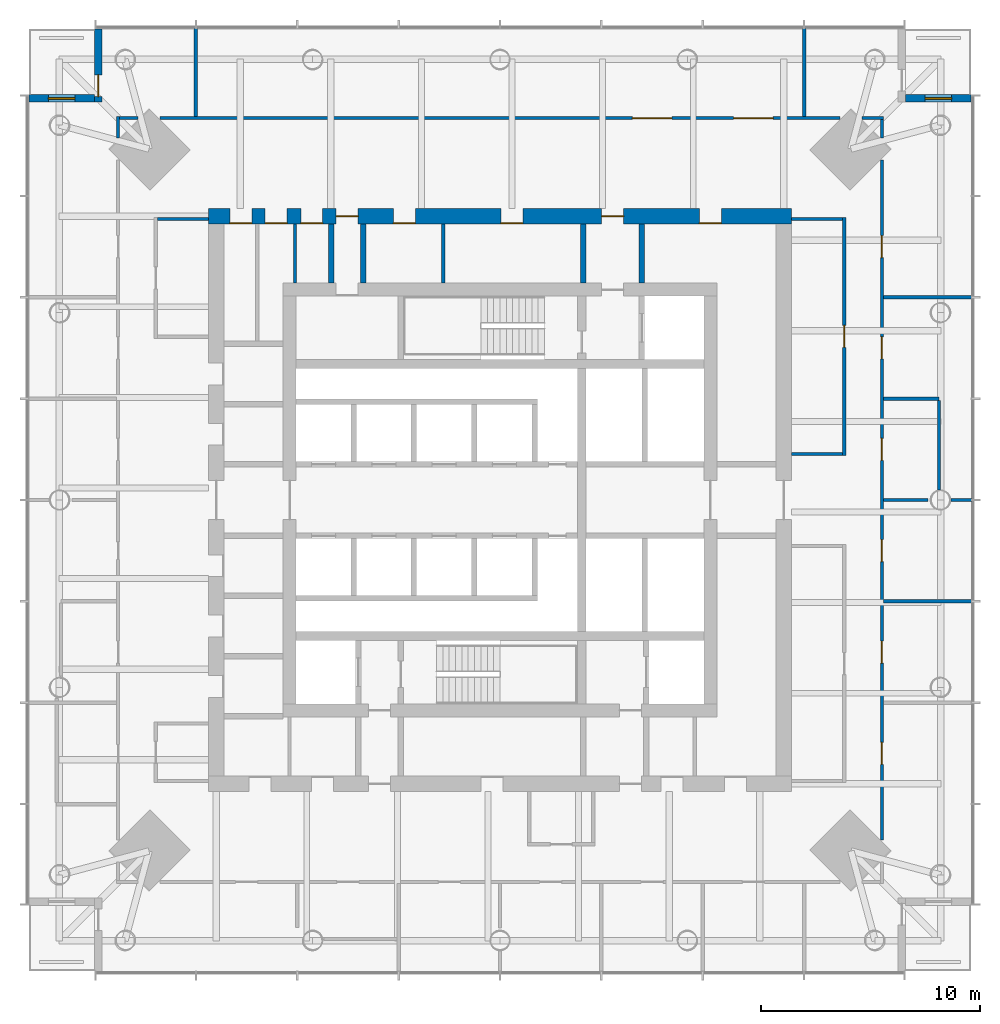
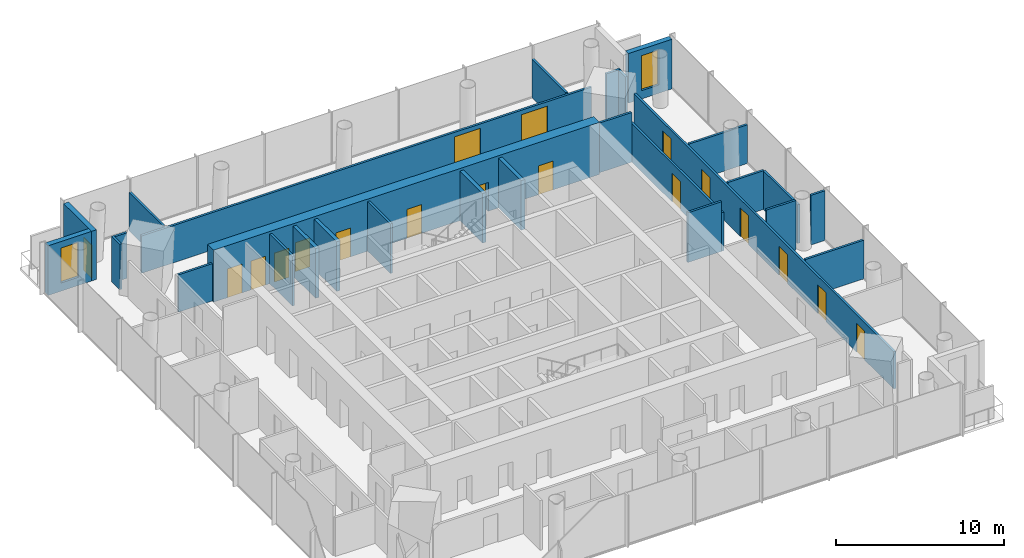
# One storey, part 7 of 9: 28 walls, 18 doors, 2 windows, 20 openings.
"""IFC4 building model written with IfcOpenShell, lengths in metres."""

from ifc_helpers import new_model, si_unit, direction, frame, frame_2d, origin, place, context, subcontext, project, spatial, rectangle, extrude, material, layer, layer_set, type_object, element, fill, save


model = new_model("IFC4")

# Units and contexts
model_context = context("Model", 3, precision=1e-05, world=origin(), true_north=direction((0.0, 1.0)))
body_context = subcontext(model_context, "Body", "Model", "MODEL_VIEW")
ifc_project = project(units=[si_unit("LENGTHUNIT", "METRE"), si_unit("AREAUNIT", "SQUARE_METRE"), si_unit("VOLUMEUNIT", "CUBIC_METRE"), si_unit("PLANEANGLEUNIT", "RADIAN"), si_unit("MASSUNIT", "GRAM", prefix="KILO")], contexts=[model_context])

# Site, building, storey
site_placement = place(None, origin())
site = spatial("IfcSite", under=ifc_project, at=site_placement, CompositionType="ELEMENT")
building_placement = place(site_placement, origin())
building = spatial("IfcBuilding", under=site, at=building_placement, Name="Ostroluk Exchange", CompositionType="ELEMENT")
storey_placement = place(building_placement, frame((0.0, 0.0, 142.60009765625)))
storey = spatial("IfcBuildingStorey", under=building, at=storey_placement, Name="L36", CompositionType="ELEMENT", Elevation=142.60009765625)

# Walls
ifc_material_1 = material(Name="Concrete blockwork", Category="masonry")
ifc_layer_1 = layer(ifc_material_1, 0.14990234375)
ifc_layer_set_1 = layer_set([ifc_layer_1], Name="Blockwork plant room wall 150")
wall_type_1 = type_object("IfcWallType", Name="Blockwork plant room wall 150", PredefinedType="SOLIDWALL", material=ifc_layer_set_1)
for number, where, z_axis, x_axis, name in (
    (1, (35.64697265625, 55.89990234375, 0.0), (0.0, 0.0, 1.0), (0.0, 1.0, 0.0), "Core room wall"),
    (2, (42.40478515625, 55.89990234375, 0.0), (0.0, 0.0, 1.0), (0.0, 1.0, 0.0), "Core room wall"),
):
    element("IfcWall", number, at=place(storey_placement, frame(where, z_axis=z_axis, x_axis=x_axis)), inside=storey, type_object=wall_type_1, Name=name, PredefinedType="SOLIDWALL", context=body_context, shape_type="SweptSolid", body=[
        extrude(rectangle(XDim=2.7001953125, YDim=0.14990234375, at=frame_2d((1.35009765625, 0.0))), origin(), (0.0, 0.0, 1.0), 3.619873046875),
    ])
ifc_material_2 = material(Name="Concrete blockwork", Category="masonry")
ifc_layer_2 = layer(ifc_material_2, 0.25)
ifc_layer_set_2 = layer_set([ifc_layer_2], Name="Blockwork stair enclosure wall 250")
wall_type_2 = type_object("IfcWallType", Name="Blockwork stair enclosure wall 250", PredefinedType="SOLIDWALL", material=ifc_layer_set_2)
for number, where, z_axis, x_axis, name in (
    (3, (48.804931640625, 55.89990234375, 0.0), (0.0, 0.0, 1.0), (0.0, 1.0, 0.0), "Fire lobby enclosure wall"),
    (4, (51.47509765625, 55.89990234375, 0.0), (0.0, 0.0, 1.0), (0.0, 1.0, 0.0), "Fire lobby enclosure wall"),
    (5, (37.300048828125, 55.89990234375, 0.0), (0.0, 0.0, 1.0), (0.0, 1.0, 0.0), "Core corridor wall"),
    (6, (38.75, 55.89990234375, 0.0), (0.0, 0.0, 1.0), (0.0, 1.0, 0.0), "Core corridor wall"),
):
    element("IfcWall", number, at=place(storey_placement, frame(where, z_axis=z_axis, x_axis=x_axis)), inside=storey, type_object=wall_type_2, Name=name, PredefinedType="SOLIDWALL", context=body_context, shape_type="SweptSolid", body=[
        extrude(rectangle(XDim=2.7001953125, YDim=0.25, at=frame_2d((1.35009765625, 0.0))), origin(), (0.0, 0.0, 1.0), 3.619873046875),
    ])

# Wall, openings, doors
ifc_material_3 = material(Name="Concrete C50/60", Category="concrete")
ifc_layer_3 = layer(ifc_material_3, 0.699951171875)
ifc_layer_set_3 = layer_set([ifc_layer_3], Name="Core wall 700 C50/60")
wall_type_3 = type_object("IfcWallType", Name="Core wall 700 C50/60", PredefinedType="SHEAR", material=ifc_layer_set_3)
wall_1_placement = place(storey_placement, frame((31.699951171875, 58.949951171875, 0.0), z_axis=(0.0, 0.0, 1.0), x_axis=(1.0, 0.0, 0.0)))
wall_1 = element("IfcWall", 7, at=wall_1_placement, inside=storey, type_object=wall_type_3, Name="T1 core wall RN", PredefinedType="SHEAR", context=body_context, shape_type="SweptSolid", body=[
    extrude(rectangle(XDim=26.60009765625, YDim=0.699951171875, at=frame_2d((13.300048828125, 0.0))), origin(), (0.0, 0.0, 1.0), 3.7998046875),
])
opening_1_placement = place(wall_1_placement, frame((17.93994140625, 0.0, 0.0)))
opening_1 = element("IfcOpeningElement", 8, at=opening_1_placement, cuts=wall_1, Name="Opening FD60", PredefinedType="OPENING", context=body_context, shape_type="SweptSolid", body=[
    extrude(rectangle(XDim=1.0, YDim=2.10009765625, at=frame_2d((0.5, 1.050048828125))), frame((0.0, 0.35986328125, 0.0), z_axis=(0.0, -1.0, 0.0), x_axis=(1.0, 0.0, 0.0)), (0.0, 0.0, 1.0), 0.719970703125),
])
opening_2_placement = place(wall_1_placement, frame((5.824951171875, 0.0, 0.0)))
opening_2 = element("IfcOpeningElement", 9, at=opening_2_placement, cuts=wall_1, Name="Opening FD60", PredefinedType="OPENING", context=body_context, shape_type="SweptSolid", body=[
    extrude(rectangle(XDim=1.0, YDim=2.10009765625, at=frame_2d((0.5, 1.050048828125))), frame((0.0, 0.35986328125, 0.0), z_axis=(0.0, -1.0, 0.0), x_axis=(1.0, 0.0, 0.0)), (0.0, 0.0, 1.0), 0.719970703125),
])
opening_3_placement = place(wall_1_placement, frame((0.97802734375, 0.0, 0.0)))
opening_3 = element("IfcOpeningElement", 10, at=opening_3_placement, cuts=wall_1, Name="Opening FD60", PredefinedType="OPENING", context=body_context, shape_type="SweptSolid", body=[
    extrude(rectangle(XDim=1.0, YDim=2.10009765625, at=frame_2d((0.5, 1.050048828125))), frame((0.0, 0.35986328125, 0.0), z_axis=(0.0, -1.0, 0.0), x_axis=(1.0, 0.0, 0.0)), (0.0, 0.0, 1.0), 0.719970703125),
])
opening_4_placement = place(wall_1_placement, frame((2.58740234375, 0.0, 0.0)))
opening_4 = element("IfcOpeningElement", 11, at=opening_4_placement, cuts=wall_1, Name="Opening FD60", PredefinedType="OPENING", context=body_context, shape_type="SweptSolid", body=[
    extrude(rectangle(XDim=1.0, YDim=2.10009765625, at=frame_2d((0.5, 1.050048828125))), frame((0.0, 0.35986328125, 0.0), z_axis=(0.0, -1.0, 0.0), x_axis=(1.0, 0.0, 0.0)), (0.0, 0.0, 1.0), 0.719970703125),
])
opening_5_placement = place(wall_1_placement, frame((4.2109375, 0.0, 0.0)))
opening_5 = element("IfcOpeningElement", 12, at=opening_5_placement, cuts=wall_1, Name="Opening FD60", PredefinedType="OPENING", context=body_context, shape_type="SweptSolid", body=[
    extrude(rectangle(XDim=1.0, YDim=2.10009765625, at=frame_2d((0.5, 1.050048828125))), frame((0.0, 0.35986328125, 0.0), z_axis=(0.0, -1.0, 0.0), x_axis=(1.0, 0.0, 0.0)), (0.0, 0.0, 1.0), 0.719970703125),
])
opening_6_placement = place(wall_1_placement, frame((8.43994140625, 0.0, 0.0)))
opening_6 = element("IfcOpeningElement", 13, at=opening_6_placement, cuts=wall_1, Name="Opening FD60", PredefinedType="OPENING", context=body_context, shape_type="SweptSolid", body=[
    extrude(rectangle(XDim=1.0, YDim=2.10009765625, at=frame_2d((0.5, 1.050048828125))), frame((0.0, 0.35986328125, 0.0), z_axis=(0.0, -1.0, 0.0), x_axis=(1.0, 0.0, 0.0)), (0.0, 0.0, 1.0), 0.719970703125),
])
opening_7_placement = place(wall_1_placement, frame((13.34228515625, 0.0, 0.0)))
opening_7 = element("IfcOpeningElement", 14, at=opening_7_placement, cuts=wall_1, Name="Opening FD60", PredefinedType="OPENING", context=body_context, shape_type="SweptSolid", body=[
    extrude(rectangle(XDim=1.0, YDim=2.10009765625, at=frame_2d((0.5, 1.050048828125))), frame((0.0, 0.35986328125, 0.0), z_axis=(0.0, -1.0, 0.0), x_axis=(1.0, 0.0, 0.0)), (0.0, 0.0, 1.0), 0.719970703125),
])
opening_8_placement = place(wall_1_placement, frame((22.39990234375, 0.0, 0.0)))
opening_8 = element("IfcOpeningElement", 15, at=opening_8_placement, cuts=wall_1, Name="Opening FD60", PredefinedType="OPENING", context=body_context, shape_type="SweptSolid", body=[
    extrude(rectangle(XDim=1.0, YDim=2.10009765625, at=frame_2d((0.5, 1.050048828125))), frame((0.0, 0.35986328125, 0.0), z_axis=(0.0, -1.0, 0.0), x_axis=(1.0, 0.0, 0.0)), (0.0, 0.0, 1.0), 0.719970703125),
])
ifc_material_4 = material(Name="Steel", Category="steel")
door_type_1 = type_object("IfcDoorType", Name="Fire door EI 60 1000 x 2100", OperationType="SINGLE_SWING_LEFT", PredefinedType="DOOR", material=ifc_material_4)
door_1_placement = place(opening_1_placement, origin())
door_1 = element("IfcDoor", 16, at=door_1_placement, inside=storey, type_object=door_type_1, Name="Firefighting lobby door", OperationType="SINGLE_SWING_RIGHT", OverallHeight=2.10009765625, OverallWidth=1.0, PredefinedType="DOOR", context=body_context, shape_type="SweptSolid", body=[
    extrude(rectangle(XDim=1.0, YDim=2.10009765625, at=frame_2d((0.5, 1.050048828125))), frame((0.0, 0.02490234375, 0.0), z_axis=(0.0, -1.0, 0.0), x_axis=(1.0, 0.0, 0.0)), (0.0, 0.0, 1.0), 0.050048828125),
])
fill(opening_1, door_1)
door_2_placement = place(opening_2_placement, origin())
door_2 = element("IfcDoor", 17, at=door_2_placement, inside=storey, type_object=door_type_1, Name="Core corridor door", OperationType="SINGLE_SWING_LEFT", OverallHeight=2.10009765625, OverallWidth=1.0, PredefinedType="DOOR", context=body_context, shape_type="SweptSolid", body=[
    extrude(rectangle(XDim=1.0, YDim=2.10009765625, at=frame_2d((0.5, 1.050048828125))), frame((0.0, 0.02490234375, 0.0), z_axis=(0.0, -1.0, 0.0), x_axis=(1.0, 0.0, 0.0)), (0.0, 0.0, 1.0), 0.050048828125),
])
fill(opening_2, door_2)
door_3_placement = place(opening_3_placement, origin())
door_3 = element("IfcDoor", 18, at=door_3_placement, inside=storey, type_object=door_type_1, Name="Tenant IT room door", OperationType="SINGLE_SWING_LEFT", OverallHeight=2.10009765625, OverallWidth=1.0, PredefinedType="DOOR", context=body_context, shape_type="SweptSolid", body=[
    extrude(rectangle(XDim=1.0, YDim=2.10009765625, at=frame_2d((0.5, 1.050048828125))), frame((0.0, -0.2900390625, 0.0), z_axis=(0.0, -1.0, 0.0), x_axis=(1.0, 0.0, 0.0)), (0.0, 0.0, 1.0), 0.050048828125),
])
fill(opening_3, door_3)
door_4_placement = place(opening_4_placement, origin())
door_4 = element("IfcDoor", 19, at=door_4_placement, inside=storey, type_object=door_type_1, Name="First aid room door", OperationType="SINGLE_SWING_LEFT", OverallHeight=2.10009765625, OverallWidth=1.0, PredefinedType="DOOR", context=body_context, shape_type="SweptSolid", body=[
    extrude(rectangle(XDim=1.0, YDim=2.10009765625, at=frame_2d((0.5, 1.050048828125))), frame((0.0, -0.2900390625, 0.0), z_axis=(0.0, -1.0, 0.0), x_axis=(1.0, 0.0, 0.0)), (0.0, 0.0, 1.0), 0.050048828125),
])
fill(opening_4, door_4)
door_5_placement = place(opening_5_placement, origin())
door_5 = element("IfcDoor", 20, at=door_5_placement, inside=storey, type_object=door_type_1, Name="Comms room door", OperationType="SINGLE_SWING_LEFT", OverallHeight=2.10009765625, OverallWidth=1.0, PredefinedType="DOOR", context=body_context, shape_type="SweptSolid", body=[
    extrude(rectangle(XDim=1.0, YDim=2.10009765625, at=frame_2d((0.5, 1.050048828125))), frame((0.0, -0.2900390625, 0.0), z_axis=(0.0, -1.0, 0.0), x_axis=(1.0, 0.0, 0.0)), (0.0, 0.0, 1.0), 0.050048828125),
])
fill(opening_5, door_5)
door_6_placement = place(opening_6_placement, origin())
door_6 = element("IfcDoor", 21, at=door_6_placement, inside=storey, type_object=door_type_1, Name="Print and post room door", OperationType="SINGLE_SWING_LEFT", OverallHeight=2.10009765625, OverallWidth=1.0, PredefinedType="DOOR", context=body_context, shape_type="SweptSolid", body=[
    extrude(rectangle(XDim=1.0, YDim=2.10009765625, at=frame_2d((0.5, 1.050048828125))), frame((0.0, -0.2900390625, 0.0), z_axis=(0.0, -1.0, 0.0), x_axis=(1.0, 0.0, 0.0)), (0.0, 0.0, 1.0), 0.050048828125),
])
fill(opening_6, door_6)
door_7_placement = place(opening_7_placement, origin())
door_7 = element("IfcDoor", 22, at=door_7_placement, inside=storey, type_object=door_type_1, Name="Archive door", OperationType="SINGLE_SWING_RIGHT", OverallHeight=2.10009765625, OverallWidth=1.0, PredefinedType="DOOR", context=body_context, shape_type="SweptSolid", body=[
    extrude(rectangle(XDim=1.0, YDim=2.10009765625, at=frame_2d((0.5, 1.050048828125))), frame((0.0, -0.2900390625, 0.0), z_axis=(0.0, -1.0, 0.0), x_axis=(1.0, 0.0, 0.0)), (0.0, 0.0, 1.0), 0.050048828125),
])
fill(opening_7, door_7)
door_8_placement = place(opening_8_placement, origin())
door_8 = element("IfcDoor", 23, at=door_8_placement, inside=storey, type_object=door_type_1, Name="First aid room door", OperationType="SINGLE_SWING_RIGHT", OverallHeight=2.10009765625, OverallWidth=1.0, PredefinedType="DOOR", context=body_context, shape_type="SweptSolid", body=[
    extrude(rectangle(XDim=1.0, YDim=2.10009765625, at=frame_2d((0.5, 1.050048828125))), frame((0.0, -0.2900390625, 0.0), z_axis=(0.0, -1.0, 0.0), x_axis=(1.0, 0.0, 0.0)), (0.0, 0.0, 1.0), 0.050048828125),
])
fill(opening_8, door_8)

# Wall, opening, window
ifc_material_5 = material(Name="Limestone", Category="masonry")
ifc_layer_4 = layer(ifc_material_5, 0.35009765625)
ifc_layer_set_4 = layer_set([ifc_layer_4], Name="Limestone facade wall 350")
wall_type_4 = type_object("IfcWallType", Name="Limestone facade wall 350", PredefinedType="SOLIDWALL", material=ifc_layer_set_4)
wall_2_placement = place(storey_placement, frame((63.5, 64.324951171875, 0.0), z_axis=(0.0, 0.0, 1.0), x_axis=(1.0, 0.0, 0.0)))
wall_2 = element("IfcWall", 24, at=wall_2_placement, inside=storey, type_object=wall_type_4, Name="Office tower NE corner wall L36 b", PredefinedType="SOLIDWALL", context=body_context, shape_type="SweptSolid", body=[
    extrude(rectangle(XDim=3.0, YDim=0.35009765625, at=frame_2d((1.5, 0.0))), origin(), (0.0, 0.0, 1.0), 3.619873046875),
])
opening_9_placement = place(wall_2_placement, frame((0.89990234375, 0.0, 0.60009765625)))
opening_9 = element("IfcOpeningElement", 25, at=opening_9_placement, cuts=wall_2, Name="Opening WN-L1", PredefinedType="OPENING", context=body_context, shape_type="SweptSolid", body=[
    extrude(rectangle(XDim=1.199951171875, YDim=2.550048828125, at=frame_2d((0.60009765625, 1.27490234375))), frame((0.0, 0.18505859375, 0.0), z_axis=(0.0, -1.0, 0.0), x_axis=(1.0, 0.0, 0.0)), (0.0, 0.0, 1.0), 0.3701171875),
])
ifc_material_6 = material(Name="Laminated clear glass", Category="glass")
window_type = type_object("IfcWindowType", Name="Lancet window 1200 x 2550", PartitioningType="SINGLE_PANEL", PredefinedType="WINDOW", material=ifc_material_6)
window_1_placement = place(opening_9_placement, origin())
window_1 = element("IfcWindow", 26, at=window_1_placement, inside=storey, type_object=window_type, Name="Office tower NE lancet window L36", OverallHeight=2.550048828125, OverallWidth=1.199951171875, PartitioningType="SINGLE_PANEL", PredefinedType="WINDOW", context=body_context, shape_type="SweptSolid", body=[
    extrude(rectangle(XDim=1.199951171875, YDim=2.550048828125, at=frame_2d((0.60009765625, 1.27490234375))), frame((0.0, 0.030029296875, 0.0), z_axis=(0.0, -1.0, 0.0), x_axis=(1.0, 0.0, 0.0)), (0.0, 0.0, 1.0), 0.06005859375),
])
fill(opening_9, window_1)

# Wall, opening, door
wall_3_placement = place(storey_placement, frame((26.675048828125, 67.5, 0.0), z_axis=(0.0, 0.0, 1.0), x_axis=(0.0, -1.0, 0.0)))
wall_3 = element("IfcWall", 27, at=wall_3_placement, inside=storey, type_object=wall_type_4, Name="Office tower NW corner wall L36 a", PredefinedType="SOLIDWALL", context=body_context, shape_type="SweptSolid", body=[
    extrude(rectangle(XDim=3.35009765625, YDim=0.35009765625, at=frame_2d((1.675048828125, 0.0))), origin(), (0.0, 0.0, 1.0), 3.619873046875),
])
opening_10_placement = place(wall_3_placement, frame((2.10009765625, 0.0, 0.0)))
opening_10 = element("IfcOpeningElement", 28, at=opening_10_placement, cuts=wall_3, Name="Opening D-B1", PredefinedType="OPENING", context=body_context, shape_type="SweptSolid", body=[
    extrude(rectangle(XDim=1.0, YDim=2.39990234375, at=frame_2d((0.5, 1.199951171875))), frame((0.0, 0.18505859375, 0.0), z_axis=(0.0, -1.0, 0.0), x_axis=(1.0, 0.0, 0.0)), (0.0, 0.0, 1.0), 0.3701171875),
])
ifc_material_7 = material(Name="Bronze framed glazed door", Category="aluminium")
door_type_2 = type_object("IfcDoorType", Name="Balcony door 1000 x 2400", OperationType="SINGLE_SWING_LEFT", PredefinedType="DOOR", material=ifc_material_7)
door_9_placement = place(opening_10_placement, origin())
door_9 = element("IfcDoor", 29, at=door_9_placement, inside=storey, type_object=door_type_2, Name="Office tower NW balcony door L36", OperationType="SINGLE_SWING_RIGHT", OverallHeight=2.39990234375, OverallWidth=1.0, PredefinedType="DOOR", context=body_context, shape_type="SweptSolid", body=[
    extrude(rectangle(XDim=1.0, YDim=2.39990234375, at=frame_2d((0.5, 1.199951171875))), frame((0.0, 0.02490234375, 0.0), z_axis=(0.0, -1.0, 0.0), x_axis=(1.0, 0.0, 0.0)), (0.0, 0.0, 1.0), 0.050048828125),
])
fill(opening_10, door_9)

# Wall, opening, window
wall_4_placement = place(storey_placement, frame((26.5, 64.324951171875, 0.0), z_axis=(0.0, 0.0, 1.0), x_axis=(-1.0, 0.0, 0.0)))
wall_4 = element("IfcWall", 30, at=wall_4_placement, inside=storey, type_object=wall_type_4, Name="Office tower NW corner wall L36 b", PredefinedType="SOLIDWALL", context=body_context, shape_type="SweptSolid", body=[
    extrude(rectangle(XDim=3.0, YDim=0.35009765625, at=frame_2d((1.5, 0.0))), origin(), (0.0, 0.0, 1.0), 3.619873046875),
])
opening_11_placement = place(wall_4_placement, frame((0.89990234375, 0.0, 0.60009765625)))
opening_11 = element("IfcOpeningElement", 31, at=opening_11_placement, cuts=wall_4, Name="Opening WN-L1", PredefinedType="OPENING", context=body_context, shape_type="SweptSolid", body=[
    extrude(rectangle(XDim=1.199951171875, YDim=2.550048828125, at=frame_2d((0.60009765625, 1.27490234375))), frame((0.0, 0.18505859375, 0.0), z_axis=(0.0, -1.0, 0.0), x_axis=(1.0, 0.0, 0.0)), (0.0, 0.0, 1.0), 0.3701171875),
])
window_2_placement = place(opening_11_placement, origin())
window_2 = element("IfcWindow", 32, at=window_2_placement, inside=storey, type_object=window_type, Name="Office tower NW lancet window L36", OverallHeight=2.550048828125, OverallWidth=1.199951171875, PartitioningType="SINGLE_PANEL", PredefinedType="WINDOW", context=body_context, shape_type="SweptSolid", body=[
    extrude(rectangle(XDim=1.199951171875, YDim=2.550048828125, at=frame_2d((0.60009765625, 1.27490234375))), frame((0.0, 0.030029296875, 0.0), z_axis=(0.0, -1.0, 0.0), x_axis=(1.0, 0.0, 0.0)), (0.0, 0.0, 1.0), 0.06005859375),
])
fill(opening_11, window_2)

# Wall, opening, door
ifc_material_8 = material(Name="Gypsum plasterboard partition", Category="gypsum")
ifc_layer_5 = layer(ifc_material_8, 0.14990234375)
ifc_layer_set_5 = layer_set([ifc_layer_5], Name="Plasterboard partition 150")
wall_type_5 = type_object("IfcWallType", Name="Plasterboard partition 150", PredefinedType="PARTITIONING", material=ifc_layer_set_5)
wall_5_placement = place(storey_placement, frame((60.699951171875, 48.02490234375, 0.0), z_axis=(0.0, 0.0, 1.0), x_axis=(0.0, 1.0, 0.0)))
wall_5 = element("IfcWall", 33, at=wall_5_placement, inside=storey, type_object=wall_type_5, Name="Partition", PredefinedType="PARTITIONING", context=body_context, shape_type="SweptSolid", body=[
    extrude(rectangle(XDim=10.875, YDim=0.14990234375, at=frame_2d((5.4375, 0.0))), origin(), (0.0, 0.0, 1.0), 2.805908203125),
])
opening_12_placement = place(wall_5_placement, frame((4.9375, 0.0, 0.0)))
opening_12 = element("IfcOpeningElement", 34, at=opening_12_placement, cuts=wall_5, Name="Opening D-03", PredefinedType="OPENING", context=body_context, shape_type="SweptSolid", body=[
    extrude(rectangle(XDim=1.0, YDim=2.10009765625, at=frame_2d((0.5, 1.050048828125))), frame((0.0, 0.0849609375, 0.0), z_axis=(0.0, -1.0, 0.0), x_axis=(1.0, 0.0, 0.0)), (0.0, 0.0, 1.0), 0.169921875),
])
ifc_material_9 = material(Name="Timber", Category="wood")
door_type_3 = type_object("IfcDoorType", Name="Internal door 1000 x 2100", OperationType="SINGLE_SWING_LEFT", PredefinedType="DOOR", material=ifc_material_9)
door_10_placement = place(opening_12_placement, origin())
door_10 = element("IfcDoor", 35, at=door_10_placement, inside=storey, type_object=door_type_3, Name="Staff room door", OperationType="SINGLE_SWING_LEFT", OverallHeight=2.10009765625, OverallWidth=1.0, PredefinedType="DOOR", context=body_context, shape_type="SweptSolid", body=[
    extrude(rectangle(XDim=1.0, YDim=2.10009765625, at=frame_2d((0.5, 1.050048828125))), frame((0.0, 0.02490234375, 0.0), z_axis=(0.0, -1.0, 0.0), x_axis=(1.0, 0.0, 0.0)), (0.0, 0.0, 1.0), 0.050048828125),
])
fill(opening_12, door_10)

# Walls
for number, where, z_axis, x_axis, name in (
    (36, (58.300048828125, 48.10009765625, 0.0), (0.0, 0.0, 1.0), (1.0, 0.0, 0.0), "Partition"),
    (37, (58.300048828125, 58.824951171875, 0.0), (0.0, 0.0, 1.0), (1.0, 0.0, 0.0), "Partition"),
):
    element("IfcWall", number, at=place(storey_placement, frame(where, z_axis=z_axis, x_axis=x_axis)), inside=storey, type_object=wall_type_5, Name=name, PredefinedType="PARTITIONING", context=body_context, shape_type="SweptSolid", body=[
        extrude(rectangle(XDim=2.324951171875, YDim=0.14990234375, at=frame_2d((1.16259765625, 0.0))), origin(), (0.0, 0.0, 1.0), 3.619873046875),
    ])
wall_6_placement = place(storey_placement, frame((31.699951171875, 58.824951171875, 0.0), z_axis=(0.0, 0.0, 1.0), x_axis=(-1.0, 0.0, 0.0)))
element("IfcWall", 38, at=wall_6_placement, inside=storey, type_object=wall_type_5, Name="Partition", PredefinedType="PARTITIONING", context=body_context, shape_type="SweptSolid", body=[
    extrude(rectangle(XDim=2.324951171875, YDim=0.14990234375, at=frame_2d((1.16259765625, 0.0))), origin(), (0.0, 0.0, 1.0), 2.719970703125),
])
wall_7_placement = place(storey_placement, frame((65.02490234375, 46.45703125, 0.0), z_axis=(0.0, 0.0, 1.0), x_axis=(0.0, 1.0, 0.0)))
element("IfcWall", 39, at=wall_7_placement, inside=storey, type_object=wall_type_5, Name="Partition", PredefinedType="PARTITIONING", context=body_context, shape_type="SweptSolid", body=[
    extrude(rectangle(XDim=4.093017578125, YDim=0.14990234375, at=frame_2d((2.04638671875, 0.0))), origin(), (0.0, 0.0, 1.0), 2.81982421875),
])

# Wall, openings, doors
wall_8_placement = place(storey_placement, frame((62.425048828125, 30.488525390625, 0.0), z_axis=(0.0, 0.0, 1.0), x_axis=(0.0, 1.0, 0.0)))
wall_8 = element("IfcWall", 40, at=wall_8_placement, inside=storey, type_object=wall_type_5, Name="Partition", PredefinedType="PARTITIONING", context=body_context, shape_type="SweptSolid", body=[
    extrude(rectangle(XDim=31.02294921875, YDim=0.14990234375, at=frame_2d((15.511474609375, 0.0))), origin(), (0.0, 0.0, 1.0), 2.719970703125),
])
opening_13_placement = place(wall_8_placement, frame((3.448974609375, 0.0, 0.0)))
opening_13 = element("IfcOpeningElement", 41, at=opening_13_placement, cuts=wall_8, Name="Opening D-03", PredefinedType="OPENING", context=body_context, shape_type="SweptSolid", body=[
    extrude(rectangle(XDim=1.0, YDim=2.10009765625, at=frame_2d((0.5, 1.050048828125))), frame((0.0, 0.0849609375, 0.0), z_axis=(0.0, -1.0, 0.0), x_axis=(1.0, 0.0, 0.0)), (0.0, 0.0, 1.0), 0.169921875),
])
opening_14_placement = place(wall_8_placement, frame((8.073974609375, 0.0, 0.0)))
opening_14 = element("IfcOpeningElement", 42, at=opening_14_placement, cuts=wall_8, Name="Opening D-03", PredefinedType="OPENING", context=body_context, shape_type="SweptSolid", body=[
    extrude(rectangle(XDim=1.0, YDim=2.10009765625, at=frame_2d((0.5, 1.050048828125))), frame((0.0, 0.0849609375, 0.0), z_axis=(0.0, -1.0, 0.0), x_axis=(1.0, 0.0, 0.0)), (0.0, 0.0, 1.0), 0.169921875),
])
opening_15_placement = place(wall_8_placement, frame((12.698974609375, 0.0, 0.0)))
opening_15 = element("IfcOpeningElement", 43, at=opening_15_placement, cuts=wall_8, Name="Opening D-03", PredefinedType="OPENING", context=body_context, shape_type="SweptSolid", body=[
    extrude(rectangle(XDim=1.0, YDim=2.10009765625, at=frame_2d((0.5, 1.050048828125))), frame((0.0, 0.0849609375, 0.0), z_axis=(0.0, -1.0, 0.0), x_axis=(1.0, 0.0, 0.0)), (0.0, 0.0, 1.0), 0.169921875),
])
opening_16_placement = place(wall_8_placement, frame((17.323974609375, 0.0, 0.0)))
opening_16 = element("IfcOpeningElement", 44, at=opening_16_placement, cuts=wall_8, Name="Opening D-03", PredefinedType="OPENING", context=body_context, shape_type="SweptSolid", body=[
    extrude(rectangle(XDim=1.0, YDim=2.10009765625, at=frame_2d((0.5, 1.050048828125))), frame((0.0, 0.0849609375, 0.0), z_axis=(0.0, -1.0, 0.0), x_axis=(1.0, 0.0, 0.0)), (0.0, 0.0, 1.0), 0.169921875),
])
opening_17_placement = place(wall_8_placement, frame((21.948974609375, 0.0, 0.0)))
opening_17 = element("IfcOpeningElement", 45, at=opening_17_placement, cuts=wall_8, Name="Opening D-03", PredefinedType="OPENING", context=body_context, shape_type="SweptSolid", body=[
    extrude(rectangle(XDim=1.0, YDim=2.10009765625, at=frame_2d((0.5, 1.050048828125))), frame((0.0, 0.0849609375, 0.0), z_axis=(0.0, -1.0, 0.0), x_axis=(1.0, 0.0, 0.0)), (0.0, 0.0, 1.0), 0.169921875),
])
opening_18_placement = place(wall_8_placement, frame((26.573974609375, 0.0, 0.0)))
opening_18 = element("IfcOpeningElement", 46, at=opening_18_placement, cuts=wall_8, Name="Opening D-03", PredefinedType="OPENING", context=body_context, shape_type="SweptSolid", body=[
    extrude(rectangle(XDim=1.0, YDim=2.10009765625, at=frame_2d((0.5, 1.050048828125))), frame((0.0, 0.0849609375, 0.0), z_axis=(0.0, -1.0, 0.0), x_axis=(1.0, 0.0, 0.0)), (0.0, 0.0, 1.0), 0.169921875),
])
door_11_placement = place(opening_13_placement, origin())
door_11 = element("IfcDoor", 47, at=door_11_placement, inside=storey, type_object=door_type_3, Name="Office suite door", OperationType="SINGLE_SWING_LEFT", OverallHeight=2.10009765625, OverallWidth=1.0, PredefinedType="DOOR", context=body_context, shape_type="SweptSolid", body=[
    extrude(rectangle(XDim=1.0, YDim=2.10009765625, at=frame_2d((0.5, 1.050048828125))), frame((0.0, 0.02490234375, 0.0), z_axis=(0.0, -1.0, 0.0), x_axis=(1.0, 0.0, 0.0)), (0.0, 0.0, 1.0), 0.050048828125),
])
fill(opening_13, door_11)
door_12_placement = place(opening_14_placement, origin())
door_12 = element("IfcDoor", 48, at=door_12_placement, inside=storey, type_object=door_type_3, Name="Meeting room door", OperationType="SINGLE_SWING_LEFT", OverallHeight=2.10009765625, OverallWidth=1.0, PredefinedType="DOOR", context=body_context, shape_type="SweptSolid", body=[
    extrude(rectangle(XDim=1.0, YDim=2.10009765625, at=frame_2d((0.5, 1.050048828125))), frame((0.0, 0.02490234375, 0.0), z_axis=(0.0, -1.0, 0.0), x_axis=(1.0, 0.0, 0.0)), (0.0, 0.0, 1.0), 0.050048828125),
])
fill(opening_14, door_12)
door_13_placement = place(opening_15_placement, origin())
door_13 = element("IfcDoor", 49, at=door_13_placement, inside=storey, type_object=door_type_3, Name="Focus room door", OperationType="SINGLE_SWING_LEFT", OverallHeight=2.10009765625, OverallWidth=1.0, PredefinedType="DOOR", context=body_context, shape_type="SweptSolid", body=[
    extrude(rectangle(XDim=1.0, YDim=2.10009765625, at=frame_2d((0.5, 1.050048828125))), frame((0.0, 0.02490234375, 0.0), z_axis=(0.0, -1.0, 0.0), x_axis=(1.0, 0.0, 0.0)), (0.0, 0.0, 1.0), 0.050048828125),
])
fill(opening_15, door_13)
door_14_placement = place(opening_16_placement, origin())
door_14 = element("IfcDoor", 50, at=door_14_placement, inside=storey, type_object=door_type_3, Name="Pantry door", OperationType="SINGLE_SWING_RIGHT", OverallHeight=2.10009765625, OverallWidth=1.0, PredefinedType="DOOR", context=body_context, shape_type="SweptSolid", body=[
    extrude(rectangle(XDim=1.0, YDim=2.10009765625, at=frame_2d((0.5, 1.050048828125))), frame((0.0, 0.02490234375, 0.0), z_axis=(0.0, -1.0, 0.0), x_axis=(1.0, 0.0, 0.0)), (0.0, 0.0, 1.0), 0.050048828125),
])
fill(opening_16, door_14)
door_15_placement = place(opening_17_placement, origin())
door_15 = element("IfcDoor", 51, at=door_15_placement, inside=storey, type_object=door_type_3, Name="Office door", OperationType="SINGLE_SWING_RIGHT", OverallHeight=2.10009765625, OverallWidth=1.0, PredefinedType="DOOR", context=body_context, shape_type="SweptSolid", body=[
    extrude(rectangle(XDim=1.0, YDim=2.10009765625, at=frame_2d((0.5, 1.050048828125))), frame((0.0, 0.02490234375, 0.0), z_axis=(0.0, -1.0, 0.0), x_axis=(1.0, 0.0, 0.0)), (0.0, 0.0, 1.0), 0.050048828125),
])
fill(opening_17, door_15)
door_16_placement = place(opening_18_placement, origin())
door_16 = element("IfcDoor", 52, at=door_16_placement, inside=storey, type_object=door_type_3, Name="Office door", OperationType="SINGLE_SWING_RIGHT", OverallHeight=2.10009765625, OverallWidth=1.0, PredefinedType="DOOR", context=body_context, shape_type="SweptSolid", body=[
    extrude(rectangle(XDim=1.0, YDim=2.10009765625, at=frame_2d((0.5, 1.050048828125))), frame((0.0, 0.02490234375, 0.0), z_axis=(0.0, -1.0, 0.0), x_axis=(1.0, 0.0, 0.0)), (0.0, 0.0, 1.0), 0.050048828125),
])
fill(opening_18, door_16)

# Walls
wall_9_placement = place(storey_placement, frame((62.425048828125, 62.51708984375, 0.0), z_axis=(0.0, 0.0, 1.0), x_axis=(0.0, 1.0, 0.0)))
element("IfcWall", 53, at=wall_9_placement, inside=storey, type_object=wall_type_5, Name="Partition", PredefinedType="PARTITIONING", context=body_context, shape_type="SweptSolid", body=[
    extrude(rectangle(XDim=0.8330078125, YDim=0.14990234375, at=frame_2d((0.41650390625, 0.0))), origin(), (0.0, 0.0, 1.0), 3.31982421875),
])
wall_10_placement = place(storey_placement, frame((62.5, 41.375, 0.0), z_axis=(0.0, 0.0, 1.0), x_axis=(1.0, 0.0, 0.0)))
element("IfcWall", 54, at=wall_10_placement, inside=storey, type_object=wall_type_5, Name="Partition", PredefinedType="PARTITIONING", context=body_context, shape_type="SweptSolid", body=[
    extrude(rectangle(XDim=4.0400390625, YDim=0.14990234375, at=frame_2d((2.02001953125, 0.0))), origin(), (0.0, 0.0, 1.0), 2.81982421875),
])
wall_11_placement = place(storey_placement, frame((62.5, 46.0, 0.0), z_axis=(0.0, 0.0, 1.0), x_axis=(1.0, 0.0, 0.0)))
element("IfcWall", 55, at=wall_11_placement, inside=storey, type_object=wall_type_5, Name="Partition", PredefinedType="PARTITIONING", context=body_context, shape_type="SweptSolid", body=[
    extrude(rectangle(XDim=2.035888671875, YDim=0.14990234375, at=frame_2d((1.01806640625, 0.0))), origin(), (0.0, 0.0, 1.0), 3.619873046875),
])
wall_12_placement = place(storey_placement, frame((65.5712890625, 46.0, 0.0), z_axis=(0.0, 0.0, 1.0), x_axis=(1.0, 0.0, 0.0)))
element("IfcWall", 56, at=wall_12_placement, inside=storey, type_object=wall_type_5, Name="Partition", PredefinedType="PARTITIONING", context=body_context, shape_type="SweptSolid", body=[
    extrude(rectangle(XDim=0.96875, YDim=0.14990234375, at=frame_2d((0.484375, 0.0))), origin(), (0.0, 0.0, 1.0), 3.619873046875),
])
wall_13_placement = place(storey_placement, frame((62.5, 50.625, 0.0), z_axis=(0.0, 0.0, 1.0), x_axis=(1.0, 0.0, 0.0)))
element("IfcWall", 57, at=wall_13_placement, inside=storey, type_object=wall_type_5, Name="Partition", PredefinedType="PARTITIONING", context=body_context, shape_type="SweptSolid", body=[
    extrude(rectangle(XDim=2.52490234375, YDim=0.14990234375, at=frame_2d((1.262451171875, 0.0))), origin(), (0.0, 0.0, 1.0), 2.81982421875),
])
wall_14_placement = place(storey_placement, frame((62.5, 55.25, 0.0), z_axis=(0.0, 0.0, 1.0), x_axis=(1.0, 0.0, 0.0)))
element("IfcWall", 58, at=wall_14_placement, inside=storey, type_object=wall_type_5, Name="Partition", PredefinedType="PARTITIONING", context=body_context, shape_type="SweptSolid", body=[
    extrude(rectangle(XDim=4.0400390625, YDim=0.14990234375, at=frame_2d((2.02001953125, 0.0))), origin(), (0.0, 0.0, 1.0), 2.81982421875),
])
wall_15_placement = place(storey_placement, frame((62.5, 63.425048828125, 0.0), z_axis=(0.0, 0.0, 1.0), x_axis=(-1.0, 0.0, 0.0)))
element("IfcWall", 59, at=wall_15_placement, inside=storey, type_object=wall_type_5, Name="Partition", PredefinedType="PARTITIONING", context=body_context, shape_type="SweptSolid", body=[
    extrude(rectangle(XDim=0.98291015625, YDim=0.14990234375, at=frame_2d((0.491455078125, 0.0))), origin(), (0.0, 0.0, 1.0), 3.31982421875),
])

# Wall, openings, doors
wall_16_placement = place(storey_placement, frame((60.511474609375, 63.425048828125, 0.0), z_axis=(0.0, 0.0, 1.0), x_axis=(-1.0, 0.0, 0.0)))
wall_16 = element("IfcWall", 60, at=wall_16_placement, inside=storey, type_object=wall_type_5, Name="Partition", PredefinedType="PARTITIONING", context=body_context, shape_type="SweptSolid", body=[
    extrude(rectangle(XDim=31.02294921875, YDim=0.14990234375, at=frame_2d((15.511474609375, 0.0))), origin(), (0.0, 0.0, 1.0), 2.719970703125),
])
opening_19_placement = place(wall_16_placement, frame((3.049072265625, 0.0, 0.0)))
opening_19 = element("IfcOpeningElement", 61, at=opening_19_placement, cuts=wall_16, Name="Opening D-04", PredefinedType="OPENING", context=body_context, shape_type="SweptSolid", body=[
    extrude(rectangle(XDim=1.800048828125, YDim=2.39990234375, at=frame_2d((0.89990234375, 1.199951171875))), frame((0.0, 0.0849609375, 0.0), z_axis=(0.0, -1.0, 0.0), x_axis=(1.0, 0.0, 0.0)), (0.0, 0.0, 1.0), 0.169921875),
])
opening_20_placement = place(wall_16_placement, frame((7.674072265625, 0.0, 0.0)))
opening_20 = element("IfcOpeningElement", 62, at=opening_20_placement, cuts=wall_16, Name="Opening D-04", PredefinedType="OPENING", context=body_context, shape_type="SweptSolid", body=[
    extrude(rectangle(XDim=1.800048828125, YDim=2.39990234375, at=frame_2d((0.89990234375, 1.199951171875))), frame((0.0, 0.0849609375, 0.0), z_axis=(0.0, -1.0, 0.0), x_axis=(1.0, 0.0, 0.0)), (0.0, 0.0, 1.0), 0.169921875),
])
ifc_material_10 = material(Name="Timber", Category="wood")
door_type_4 = type_object("IfcDoorType", Name="Double door 1800 x 2400", OperationType="DOUBLE_DOOR_SINGLE_SWING", PredefinedType="DOOR", material=ifc_material_10)
door_17_placement = place(opening_19_placement, origin())
door_17 = element("IfcDoor", 63, at=door_17_placement, inside=storey, type_object=door_type_4, Name="Open plan office door", OperationType="DOUBLE_DOOR_SINGLE_SWING", OverallHeight=2.39990234375, OverallWidth=1.800048828125, PredefinedType="DOOR", context=body_context, shape_type="SweptSolid", body=[
    extrude(rectangle(XDim=1.800048828125, YDim=2.39990234375, at=frame_2d((0.89990234375, 1.199951171875))), frame((0.0, 0.02490234375, 0.0), z_axis=(0.0, -1.0, 0.0), x_axis=(1.0, 0.0, 0.0)), (0.0, 0.0, 1.0), 0.050048828125),
])
fill(opening_19, door_17)
door_18_placement = place(opening_20_placement, origin())
door_18 = element("IfcDoor", 64, at=door_18_placement, inside=storey, type_object=door_type_4, Name="Open plan office door", OperationType="DOUBLE_DOOR_SINGLE_SWING", OverallHeight=2.39990234375, OverallWidth=1.800048828125, PredefinedType="DOOR", context=body_context, shape_type="SweptSolid", body=[
    extrude(rectangle(XDim=1.800048828125, YDim=2.39990234375, at=frame_2d((0.89990234375, 1.199951171875))), frame((0.0, 0.02490234375, 0.0), z_axis=(0.0, -1.0, 0.0), x_axis=(1.0, 0.0, 0.0)), (0.0, 0.0, 1.0), 0.050048828125),
])
fill(opening_20, door_18)

# Walls
wall_17_placement = place(storey_placement, frame((28.48291015625, 63.425048828125, 0.0), z_axis=(0.0, 0.0, 1.0), x_axis=(-1.0, 0.0, 0.0)))
element("IfcWall", 65, at=wall_17_placement, inside=storey, type_object=wall_type_5, Name="Partition", PredefinedType="PARTITIONING", context=body_context, shape_type="SweptSolid", body=[
    extrude(rectangle(XDim=0.8330078125, YDim=0.14990234375, at=frame_2d((0.41650390625, 0.0))), origin(), (0.0, 0.0, 1.0), 3.31982421875),
])
for number, where, z_axis, x_axis, name in (
    (66, (58.875, 63.5, 0.0), (0.0, 0.0, 1.0), (0.0, 1.0, 0.0), "Partition"),
    (67, (31.125, 63.5, 0.0), (0.0, 0.0, 1.0), (0.0, 1.0, 0.0), "Partition"),
):
    element("IfcWall", number, at=place(storey_placement, frame(where, z_axis=z_axis, x_axis=x_axis)), inside=storey, type_object=wall_type_5, Name=name, PredefinedType="PARTITIONING", context=body_context, shape_type="SweptSolid", body=[
        extrude(rectangle(XDim=4.0400390625, YDim=0.14990234375, at=frame_2d((2.02001953125, 0.0))), origin(), (0.0, 0.0, 1.0), 2.81982421875),
    ])
wall_18_placement = place(storey_placement, frame((27.574951171875, 63.5, 0.0), z_axis=(0.0, 0.0, 1.0), x_axis=(0.0, -1.0, 0.0)))
element("IfcWall", 68, at=wall_18_placement, inside=storey, type_object=wall_type_5, Name="Partition", PredefinedType="PARTITIONING", context=body_context, shape_type="SweptSolid", body=[
    extrude(rectangle(XDim=0.98291015625, YDim=0.14990234375, at=frame_2d((0.491455078125, 0.0))), origin(), (0.0, 0.0, 1.0), 3.31982421875),
])

save(model, "model.ifc")
